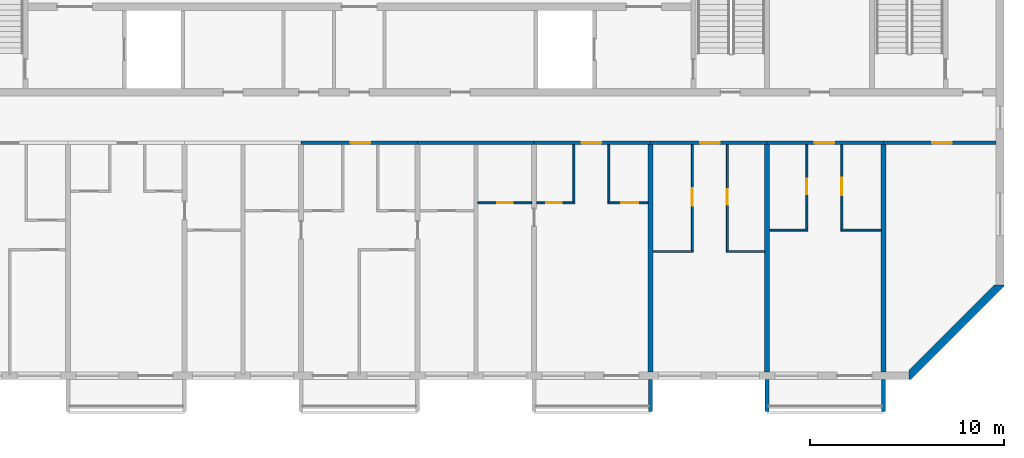
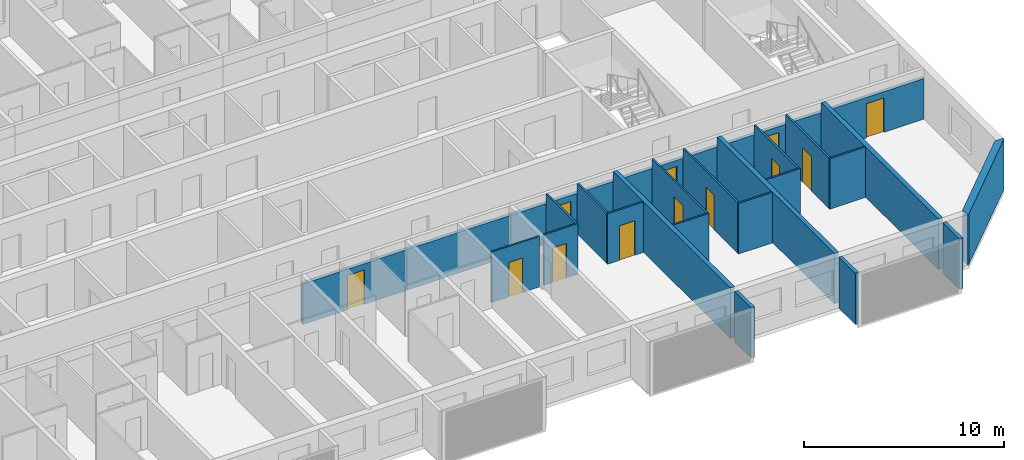
# One storey, part 5 of 26: 26 walls, 12 doors, 12 openings.
"""IFC4 building model written with IfcOpenShell, lengths in metres."""

from ifc_helpers import new_model, si_unit, direction, frame, frame_2d, origin, place, context, subcontext, project, spatial, polyline, rectangle, outline, extrude, source, transform, mapped, material, layer, layer_set, type_object, element, fill, save


model = new_model("IFC4")

# Units and contexts
model_context = context("Model", 3, precision=1e-05, world=origin(), true_north=direction((0.0, 1.0)))
body_context = subcontext(model_context, "Body", "Model", "MODEL_VIEW")
ifc_project = project(units=[si_unit("LENGTHUNIT", "METRE"), si_unit("AREAUNIT", "SQUARE_METRE"), si_unit("VOLUMEUNIT", "CUBIC_METRE"), si_unit("PLANEANGLEUNIT", "RADIAN"), si_unit("MASSUNIT", "GRAM", prefix="KILO")], contexts=[model_context])

# Site, building, storey
site_placement = place(None, origin())
site = spatial("IfcSite", under=ifc_project, at=site_placement, CompositionType="ELEMENT")
building_placement = place(site_placement, origin())
building = spatial("IfcBuilding", under=site, at=building_placement, Name="Poui Terraces", CompositionType="ELEMENT")
storey_placement = place(building_placement, frame((0.0, 0.0, 171.89990234375)))
storey = spatial("IfcBuildingStorey", under=building, at=storey_placement, Name="L47", CompositionType="ELEMENT", Elevation=171.89990234375)

# Wall, opening, door
ifc_material_1 = material(Name="Concrete 50 MPa", Category="concrete")
ifc_layer_1 = layer(ifc_material_1, 0.199951171875)
ifc_layer_set_1 = layer_set([ifc_layer_1], Name="Concrete 50 MPa")
wall_type_1 = type_object("IfcWallType", Name="CORRIDOR WALL 200 50MPa", PredefinedType="SHEAR", material=ifc_layer_set_1)
wall_1_placement = place(storey_placement, frame((48.0, 12.0, 0.0), z_axis=(0.0, 0.0, 1.0), x_axis=(1.0, 0.0, 0.0)))
wall_1 = element("IfcWall", 1, at=wall_1_placement, inside=storey, type_object=wall_type_1, Name="CORRIDOR WALL LINE B BAY 6", PredefinedType="SHEAR", context=body_context, shape_type="SweptSolid", body=[
    extrude(rectangle(XDim=6.0, YDim=0.199951171875, at=frame_2d((3.0, 0.0))), origin(), (0.0, 0.0, 1.0), 2.47998046875),
])
opening_1_placement = place(wall_1_placement, frame((2.550048828125, 0.0, 0.0)))
opening_1 = element("IfcOpeningElement", 2, at=opening_1_placement, cuts=wall_1, Name="Opening FD30S", PredefinedType="OPENING", context=body_context, shape_type="SweptSolid", body=[
    extrude(rectangle(XDim=1.0, YDim=2.10009765625, at=frame_2d((0.5, 1.050048828125))), frame((0.0, 0.10986328125, 0.0), z_axis=(0.0, -1.0, 0.0), x_axis=(1.0, 0.0, 0.0)), (0.0, 0.0, 1.0), 0.219970703125),
])
ifc_material_2 = material(Name="Steel fire door", Category="steel")
door_type_1 = type_object("IfcDoorType", Name="FLAT ENTRANCE DOOR 1000 X 2100", OperationType="NOTDEFINED", PredefinedType="DOOR", material=ifc_material_2)
door_1_placement = place(opening_1_placement, frame((1.0, 0.0, 0.0), z_axis=(0.0, 0.0, 1.0), x_axis=(-1.0, 0.0, 0.0)))
door_1 = element("IfcDoor", 3, at=door_1_placement, inside=storey, type_object=door_type_1, Name="FLAT ENTRANCE DOOR 079", OperationType="SINGLE_SWING_LEFT", OverallHeight=2.10009765625, OverallWidth=1.0, PredefinedType="DOOR", context=body_context, shape_type="SweptSolid", body=[
    extrude(rectangle(XDim=1.0, YDim=2.10009765625, at=frame_2d((0.5, 1.050048828125))), frame((0.0, 0.02490234375, 0.0), z_axis=(0.0, -1.0, 0.0), x_axis=(1.0, 0.0, 0.0)), (0.0, 0.0, 1.0), 0.050048828125),
])
fill(opening_1, door_1)

# Wall
wall_2_placement = place(storey_placement, frame((54.0, 12.0, 0.0), z_axis=(0.0, 0.0, 1.0), x_axis=(1.0, 0.0, 0.0)))
element("IfcWall", 4, at=wall_2_placement, inside=storey, type_object=wall_type_1, Name="CORRIDOR WALL LINE B BAY 7", PredefinedType="SHEAR", context=body_context, shape_type="SweptSolid", body=[
    extrude(rectangle(XDim=6.0, YDim=0.199951171875, at=frame_2d((3.0, 0.0))), origin(), (0.0, 0.0, 1.0), 2.47998046875),
])

# Wall, opening, door
wall_3_placement = place(storey_placement, frame((60.0, 12.0, 0.0), z_axis=(0.0, 0.0, 1.0), x_axis=(1.0, 0.0, 0.0)))
wall_3 = element("IfcWall", 5, at=wall_3_placement, inside=storey, type_object=wall_type_1, Name="CORRIDOR WALL LINE B BAY 8", PredefinedType="SHEAR", context=body_context, shape_type="SweptSolid", body=[
    extrude(rectangle(XDim=6.0, YDim=0.199951171875, at=frame_2d((3.0, 0.0))), origin(), (0.0, 0.0, 1.0), 2.47998046875),
])
opening_2_placement = place(wall_3_placement, frame((2.449951171875, 0.0, 0.0)))
opening_2 = element("IfcOpeningElement", 6, at=opening_2_placement, cuts=wall_3, Name="Opening FD30S", PredefinedType="OPENING", context=body_context, shape_type="SweptSolid", body=[
    extrude(rectangle(XDim=1.0, YDim=2.10009765625, at=frame_2d((0.5, 1.050048828125))), frame((0.0, 0.10986328125, 0.0), z_axis=(0.0, -1.0, 0.0), x_axis=(1.0, 0.0, 0.0)), (0.0, 0.0, 1.0), 0.219970703125),
])
door_2_placement = place(opening_2_placement, frame((1.0, 0.0, 0.0), z_axis=(0.0, 0.0, 1.0), x_axis=(-1.0, 0.0, 0.0)))
door_2 = element("IfcDoor", 7, at=door_2_placement, inside=storey, type_object=door_type_1, Name="FLAT ENTRANCE DOOR 086", OperationType="SINGLE_SWING_RIGHT", OverallHeight=2.10009765625, OverallWidth=1.0, PredefinedType="DOOR", context=body_context, shape_type="SweptSolid", body=[
    extrude(rectangle(XDim=1.0, YDim=2.10009765625, at=frame_2d((0.5, 1.050048828125))), frame((0.0, 0.02490234375, 0.0), z_axis=(0.0, -1.0, 0.0), x_axis=(1.0, 0.0, 0.0)), (0.0, 0.0, 1.0), 0.050048828125),
])
fill(opening_2, door_2)

wall_4_placement = place(storey_placement, frame((66.0, 12.0, 0.0), z_axis=(0.0, 0.0, 1.0), x_axis=(1.0, 0.0, 0.0)))
wall_4 = element("IfcWall", 8, at=wall_4_placement, inside=storey, type_object=wall_type_1, Name="CORRIDOR WALL LINE B BAY 9", PredefinedType="SHEAR", context=body_context, shape_type="SweptSolid", body=[
    extrude(rectangle(XDim=6.0, YDim=0.199951171875, at=frame_2d((3.0, 0.0))), origin(), (0.0, 0.0, 1.0), 2.47998046875),
])
opening_3_placement = place(wall_4_placement, frame((2.550048828125, 0.0, 0.0)))
opening_3 = element("IfcOpeningElement", 9, at=opening_3_placement, cuts=wall_4, Name="Opening FD30S", PredefinedType="OPENING", context=body_context, shape_type="SweptSolid", body=[
    extrude(rectangle(XDim=1.0, YDim=2.10009765625, at=frame_2d((0.5, 1.050048828125))), frame((0.0, 0.10986328125, 0.0), z_axis=(0.0, -1.0, 0.0), x_axis=(1.0, 0.0, 0.0)), (0.0, 0.0, 1.0), 0.219970703125),
])
door_3_placement = place(opening_3_placement, frame((1.0, 0.0, 0.0), z_axis=(0.0, 0.0, 1.0), x_axis=(-1.0, 0.0, 0.0)))
door_3 = element("IfcDoor", 10, at=door_3_placement, inside=storey, type_object=door_type_1, Name="FLAT ENTRANCE DOOR 089", OperationType="SINGLE_SWING_LEFT", OverallHeight=2.10009765625, OverallWidth=1.0, PredefinedType="DOOR", context=body_context, shape_type="SweptSolid", body=[
    extrude(rectangle(XDim=1.0, YDim=2.10009765625, at=frame_2d((0.5, 1.050048828125))), frame((0.0, 0.02490234375, 0.0), z_axis=(0.0, -1.0, 0.0), x_axis=(1.0, 0.0, 0.0)), (0.0, 0.0, 1.0), 0.050048828125),
])
fill(opening_3, door_3)

wall_5_placement = place(storey_placement, frame((72.0, 12.0, 0.0), z_axis=(0.0, 0.0, 1.0), x_axis=(1.0, 0.0, 0.0)))
wall_5 = element("IfcWall", 11, at=wall_5_placement, inside=storey, type_object=wall_type_1, Name="CORRIDOR WALL LINE B BAY 10", PredefinedType="SHEAR", context=body_context, shape_type="SweptSolid", body=[
    extrude(rectangle(XDim=6.0, YDim=0.199951171875, at=frame_2d((3.0, 0.0))), origin(), (0.0, 0.0, 1.0), 2.47998046875),
])
opening_4_placement = place(wall_5_placement, frame((2.449951171875, 0.0, 0.0)))
opening_4 = element("IfcOpeningElement", 12, at=opening_4_placement, cuts=wall_5, Name="Opening FD30S", PredefinedType="OPENING", context=body_context, shape_type="SweptSolid", body=[
    extrude(rectangle(XDim=1.0, YDim=2.10009765625, at=frame_2d((0.5, 1.050048828125))), frame((0.0, 0.10986328125, 0.0), z_axis=(0.0, -1.0, 0.0), x_axis=(1.0, 0.0, 0.0)), (0.0, 0.0, 1.0), 0.219970703125),
])
door_4_placement = place(opening_4_placement, frame((1.0, 0.0, 0.0), z_axis=(0.0, 0.0, 1.0), x_axis=(-1.0, 0.0, 0.0)))
door_4 = element("IfcDoor", 13, at=door_4_placement, inside=storey, type_object=door_type_1, Name="FLAT ENTRANCE DOOR 092", OperationType="SINGLE_SWING_RIGHT", OverallHeight=2.10009765625, OverallWidth=1.0, PredefinedType="DOOR", context=body_context, shape_type="SweptSolid", body=[
    extrude(rectangle(XDim=1.0, YDim=2.10009765625, at=frame_2d((0.5, 1.050048828125))), frame((0.0, 0.02490234375, 0.0), z_axis=(0.0, -1.0, 0.0), x_axis=(1.0, 0.0, 0.0)), (0.0, 0.0, 1.0), 0.050048828125),
])
fill(opening_4, door_4)

wall_6_placement = place(storey_placement, frame((78.0, 12.0, 0.0), z_axis=(0.0, 0.0, 1.0), x_axis=(1.0, 0.0, 0.0)))
wall_6 = element("IfcWall", 14, at=wall_6_placement, inside=storey, type_object=wall_type_1, Name="CORRIDOR WALL LINE B BAY 11", PredefinedType="SHEAR", context=body_context, shape_type="SweptSolid", body=[
    extrude(rectangle(XDim=5.800048828125, YDim=0.199951171875, at=frame_2d((2.89990234375, 0.0))), origin(), (0.0, 0.0, 1.0), 2.47998046875),
])
opening_5_placement = place(wall_6_placement, frame((2.5, 0.0, 0.0)))
opening_5 = element("IfcOpeningElement", 15, at=opening_5_placement, cuts=wall_6, Name="Opening D100", PredefinedType="OPENING", context=body_context, shape_type="SweptSolid", body=[
    extrude(rectangle(XDim=1.0, YDim=2.10009765625, at=frame_2d((0.5, 1.050048828125))), frame((0.0, 0.10986328125, 0.0), z_axis=(0.0, -1.0, 0.0), x_axis=(1.0, 0.0, 0.0)), (0.0, 0.0, 1.0), 0.219970703125),
])
ifc_material_3 = material(Name="Solid core timber door", Category="wood")
door_type_2 = type_object("IfcDoorType", Name="ACCESSIBLE INTERNAL DOOR 1000 X 2100", OperationType="NOTDEFINED", PredefinedType="DOOR", material=ifc_material_3)
door_5_placement = place(opening_5_placement, frame((1.0, 0.0, 0.0), z_axis=(0.0, 0.0, 1.0), x_axis=(-1.0, 0.0, 0.0)))
door_5 = element("IfcDoor", 16, at=door_5_placement, inside=storey, type_object=door_type_2, Name="ACCESSIBLE INTERNAL DOOR 094", OperationType="SINGLE_SWING_RIGHT", OverallHeight=2.10009765625, OverallWidth=1.0, PredefinedType="DOOR", context=body_context, shape_type="SweptSolid", body=[
    extrude(rectangle(XDim=1.0, YDim=2.10009765625, at=frame_2d((0.5, 1.050048828125))), frame((0.0, 0.02490234375, 0.0), z_axis=(0.0, -1.0, 0.0), x_axis=(1.0, 0.0, 0.0)), (0.0, 0.0, 1.0), 0.050048828125),
])
fill(opening_5, door_5)

# Walls
ifc_layer_2 = layer(ifc_material_1, 0.25)
ifc_layer_set_2 = layer_set([ifc_layer_2], Name="Concrete 50 MPa")
wall_type_2 = type_object("IfcWallType", Name="CROSS WALL 250 50MPa", PredefinedType="SHEAR", material=ifc_layer_set_2)
for number, where, z_axis, x_axis, name in (
    (17, (66.0, 0.199951171875, 0.0), (0.0, 0.0, 1.0), (0.0, 1.0, 0.0), "CROSS WALL LINE 12 SOUTH"),
    (18, (72.0, 0.199951171875, 0.0), (0.0, 0.0, 1.0), (0.0, 1.0, 0.0), "CROSS WALL LINE 13 SOUTH"),
    (19, (78.0, 0.199951171875, 0.0), (0.0, 0.0, 1.0), (0.0, 1.0, 0.0), "CROSS WALL LINE 14 SOUTH"),
):
    element("IfcWall", number, at=place(storey_placement, frame(where, z_axis=z_axis, x_axis=x_axis)), inside=storey, type_object=wall_type_2, Name=name, PredefinedType="SHEAR", context=body_context, shape_type="SweptSolid", body=[
        extrude(rectangle(XDim=11.699951171875, YDim=0.25, at=frame_2d((5.85009765625, 0.0))), origin(), (0.0, 0.0, 1.0), 3.080078125),
    ])
ifc_material_4 = material(Name="Plasterboard partition")
ifc_layer_3 = layer(ifc_material_4, 0.10009765625)
ifc_layer_set_3 = layer_set([ifc_layer_3], Name="Plasterboard partition")
wall_type_3 = type_object("IfcWallType", Name="FLAT PARTITION 100", PredefinedType="PARTITIONING", material=ifc_layer_set_3)
wall_7_placement = place(storey_placement, frame((66.135009765625, 6.39990234375, 0.0), z_axis=(0.0, 0.0, 1.0), x_axis=(1.0, 0.0, 0.0)))
element("IfcWall", 20, at=wall_7_placement, inside=storey, type_object=wall_type_3, Name="FLAT PARTITION 100", PredefinedType="PARTITIONING", context=body_context, shape_type="SweptSolid", body=[
    extrude(rectangle(XDim=2.06494140625, YDim=0.10009765625, at=frame_2d((1.032470703125, 0.0))), origin(), (0.0, 0.0, 1.0), 3.080078125),
])
for number, where, z_axis, x_axis, name in (
    (21, (69.89990234375, 6.39990234375, 0.0), (0.0, 0.0, 1.0), (1.0, 0.0, 0.0), "FLAT PARTITION 100"),
    (22, (72.135009765625, 7.5, 0.0), (0.0, 0.0, 1.0), (1.0, 0.0, 0.0), "FLAT PARTITION 100"),
):
    element("IfcWall", number, at=place(storey_placement, frame(where, z_axis=z_axis, x_axis=x_axis)), inside=storey, type_object=wall_type_3, Name=name, PredefinedType="PARTITIONING", context=body_context, shape_type="SweptSolid", body=[
        extrude(rectangle(XDim=1.965087890625, YDim=0.10009765625, at=frame_2d((0.982421875, 0.0))), origin(), (0.0, 0.0, 1.0), 3.080078125),
    ])
wall_8_placement = place(storey_placement, frame((75.800048828125, 7.5, 0.0), z_axis=(0.0, 0.0, 1.0), x_axis=(1.0, 0.0, 0.0)))
element("IfcWall", 23, at=wall_8_placement, inside=storey, type_object=wall_type_3, Name="FLAT PARTITION 100", PredefinedType="PARTITIONING", context=body_context, shape_type="SweptSolid", body=[
    extrude(rectangle(XDim=2.06494140625, YDim=0.10009765625, at=frame_2d((1.032470703125, 0.0))), origin(), (0.0, 0.0, 1.0), 3.080078125),
])

# Wall, opening, door
wall_9_placement = place(storey_placement, frame((57.10009765625, 8.89990234375, 0.0), z_axis=(0.0, 0.0, 1.0), x_axis=(1.0, 0.0, 0.0)))
wall_9 = element("IfcWall", 24, at=wall_9_placement, inside=storey, type_object=wall_type_3, Name="FLAT PARTITION 100", PredefinedType="PARTITIONING", context=body_context, shape_type="SweptSolid", body=[
    extrude(rectangle(XDim=2.764892578125, YDim=0.10009765625, at=frame_2d((1.38232421875, 0.0))), origin(), (0.0, 0.0, 1.0), 3.080078125),
])
opening_6_placement = place(wall_9_placement, frame((1.0, 0.0, 0.0)))
opening_6 = element("IfcOpeningElement", 25, at=opening_6_placement, cuts=wall_9, Name="Opening D80", PredefinedType="OPENING", context=body_context, shape_type="SweptSolid", body=[
    extrude(rectangle(XDim=0.800048828125, YDim=2.10009765625, at=frame_2d((0.39990234375, 1.050048828125))), frame((0.0, 0.06005859375, 0.0), z_axis=(0.0, -1.0, 0.0), x_axis=(1.0, 0.0, 0.0)), (0.0, 0.0, 1.0), 0.1201171875),
])
door_type_3 = type_object("IfcDoorType", Name="BATHROOM, LAUNDRY AND STORE DOOR 800 X 2100", OperationType="NOTDEFINED", PredefinedType="DOOR", material=ifc_material_3)
door_6_placement = place(opening_6_placement, origin())
door_6 = element("IfcDoor", 26, at=door_6_placement, inside=storey, type_object=door_type_3, Name="BATHROOM, LAUNDRY AND STORE DOOR 083", OperationType="SINGLE_SWING_RIGHT", OverallHeight=2.10009765625, OverallWidth=0.800048828125, PredefinedType="DOOR", context=body_context, shape_type="SweptSolid", body=[
    extrude(rectangle(XDim=0.800048828125, YDim=2.10009765625, at=frame_2d((0.39990234375, 1.050048828125))), frame((0.0, 0.02490234375, 0.0), z_axis=(0.0, -1.0, 0.0), x_axis=(1.0, 0.0, 0.0)), (0.0, 0.0, 1.0), 0.050048828125),
])
fill(opening_6, door_6)

wall_10_placement = place(storey_placement, frame((60.135009765625, 8.89990234375, 0.0), z_axis=(0.0, 0.0, 1.0), x_axis=(1.0, 0.0, 0.0)))
wall_10 = element("IfcWall", 27, at=wall_10_placement, inside=storey, type_object=wall_type_3, Name="FLAT PARTITION 100", PredefinedType="PARTITIONING", context=body_context, shape_type="SweptSolid", body=[
    extrude(rectangle(XDim=1.965087890625, YDim=0.10009765625, at=frame_2d((0.982421875, 0.0))), origin(), (0.0, 0.0, 1.0), 3.080078125),
])
opening_7_placement = place(wall_10_placement, frame((0.489990234375, 0.0, 0.0)))
opening_7 = element("IfcOpeningElement", 28, at=opening_7_placement, cuts=wall_10, Name="Opening D80", PredefinedType="OPENING", context=body_context, shape_type="SweptSolid", body=[
    extrude(rectangle(XDim=0.800048828125, YDim=2.10009765625, at=frame_2d((0.39990234375, 1.050048828125))), frame((0.0, 0.06005859375, 0.0), z_axis=(0.0, -1.0, 0.0), x_axis=(1.0, 0.0, 0.0)), (0.0, 0.0, 1.0), 0.1201171875),
])
door_7_placement = place(opening_7_placement, origin())
door_7 = element("IfcDoor", 29, at=door_7_placement, inside=storey, type_object=door_type_3, Name="BATHROOM, LAUNDRY AND STORE DOOR 085", OperationType="SINGLE_SWING_LEFT", OverallHeight=2.10009765625, OverallWidth=0.800048828125, PredefinedType="DOOR", context=body_context, shape_type="SweptSolid", body=[
    extrude(rectangle(XDim=0.800048828125, YDim=2.10009765625, at=frame_2d((0.39990234375, 1.050048828125))), frame((0.0, 0.02490234375, 0.0), z_axis=(0.0, -1.0, 0.0), x_axis=(1.0, 0.0, 0.0)), (0.0, 0.0, 1.0), 0.050048828125),
])
fill(opening_7, door_7)

wall_11_placement = place(storey_placement, frame((63.800048828125, 8.89990234375, 0.0), z_axis=(0.0, 0.0, 1.0), x_axis=(1.0, 0.0, 0.0)))
wall_11 = element("IfcWall", 30, at=wall_11_placement, inside=storey, type_object=wall_type_3, Name="FLAT PARTITION 100", PredefinedType="PARTITIONING", context=body_context, shape_type="SweptSolid", body=[
    extrude(rectangle(XDim=2.06494140625, YDim=0.10009765625, at=frame_2d((1.032470703125, 0.0))), origin(), (0.0, 0.0, 1.0), 3.080078125),
])
opening_8_placement = place(wall_11_placement, frame((0.675048828125, 0.0, 0.0)))
opening_8 = element("IfcOpeningElement", 31, at=opening_8_placement, cuts=wall_11, Name="Opening D90", PredefinedType="OPENING", context=body_context, shape_type="SweptSolid", body=[
    extrude(rectangle(XDim=0.89990234375, YDim=2.10009765625, at=frame_2d((0.449951171875, 1.050048828125))), frame((0.0, 0.06005859375, 0.0), z_axis=(0.0, -1.0, 0.0), x_axis=(1.0, 0.0, 0.0)), (0.0, 0.0, 1.0), 0.1201171875),
])
door_type_4 = type_object("IfcDoorType", Name="INTERNAL DOOR 900 X 2100", OperationType="NOTDEFINED", PredefinedType="DOOR", material=ifc_material_3)
door_8_placement = place(opening_8_placement, origin())
door_8 = element("IfcDoor", 32, at=door_8_placement, inside=storey, type_object=door_type_4, Name="INTERNAL DOOR 087", OperationType="SINGLE_SWING_RIGHT", OverallHeight=2.10009765625, OverallWidth=0.89990234375, PredefinedType="DOOR", context=body_context, shape_type="SweptSolid", body=[
    extrude(rectangle(XDim=0.89990234375, YDim=2.10009765625, at=frame_2d((0.449951171875, 1.050048828125))), frame((0.0, 0.02490234375, 0.0), z_axis=(0.0, -1.0, 0.0), x_axis=(1.0, 0.0, 0.0)), (0.0, 0.0, 1.0), 0.050048828125),
])
fill(opening_8, door_8)

# Walls
for number, where, z_axis, x_axis, name in (
    (33, (62.050048828125, 8.949951171875, 0.0), (0.0, 0.0, 1.0), (0.0, 1.0, 0.0), "FLAT PARTITION 100"),
    (34, (63.85009765625, 8.949951171875, 0.0), (0.0, 0.0, 1.0), (0.0, 1.0, 0.0), "FLAT PARTITION 100"),
):
    element("IfcWall", number, at=place(storey_placement, frame(where, z_axis=z_axis, x_axis=x_axis)), inside=storey, type_object=wall_type_3, Name=name, PredefinedType="PARTITIONING", context=body_context, shape_type="SweptSolid", body=[
        extrude(rectangle(XDim=2.93994140625, YDim=0.10009765625, at=frame_2d((1.469970703125, 0.0))), origin(), (0.0, 0.0, 1.0), 3.080078125),
    ])

# Wall, opening, door
wall_12_placement = place(storey_placement, frame((68.14990234375, 6.449951171875, 0.0), z_axis=(0.0, 0.0, 1.0), x_axis=(0.0, 1.0, 0.0)))
wall_12 = element("IfcWall", 35, at=wall_12_placement, inside=storey, type_object=wall_type_3, Name="FLAT PARTITION 100", PredefinedType="PARTITIONING", context=body_context, shape_type="SweptSolid", body=[
    extrude(rectangle(XDim=5.43994140625, YDim=0.10009765625, at=frame_2d((2.719970703125, 0.0))), origin(), (0.0, 0.0, 1.0), 3.080078125),
])
opening_9_placement = place(wall_12_placement, frame((2.300048828125, 0.0, 0.0)))
opening_9 = element("IfcOpeningElement", 36, at=opening_9_placement, cuts=wall_12, Name="Opening D90", PredefinedType="OPENING", context=body_context, shape_type="SweptSolid", body=[
    extrude(rectangle(XDim=0.89990234375, YDim=2.10009765625, at=frame_2d((0.449951171875, 1.050048828125))), frame((0.0, 0.06005859375, 0.0), z_axis=(0.0, -1.0, 0.0), x_axis=(1.0, 0.0, 0.0)), (0.0, 0.0, 1.0), 0.1201171875),
])
door_9_placement = place(opening_9_placement, origin())
door_9 = element("IfcDoor", 37, at=door_9_placement, inside=storey, type_object=door_type_4, Name="INTERNAL DOOR 088", OperationType="SINGLE_SWING_RIGHT", OverallHeight=2.10009765625, OverallWidth=0.89990234375, PredefinedType="DOOR", context=body_context, shape_type="SweptSolid", body=[
    extrude(rectangle(XDim=0.89990234375, YDim=2.10009765625, at=frame_2d((0.449951171875, 1.050048828125))), frame((0.0, 0.02490234375, 0.0), z_axis=(0.0, -1.0, 0.0), x_axis=(1.0, 0.0, 0.0)), (0.0, 0.0, 1.0), 0.050048828125),
])
fill(opening_9, door_9)

wall_13_placement = place(storey_placement, frame((69.949951171875, 6.449951171875, 0.0), z_axis=(0.0, 0.0, 1.0), x_axis=(0.0, 1.0, 0.0)))
wall_13 = element("IfcWall", 38, at=wall_13_placement, inside=storey, type_object=wall_type_3, Name="FLAT PARTITION 100", PredefinedType="PARTITIONING", context=body_context, shape_type="SweptSolid", body=[
    extrude(rectangle(XDim=5.43994140625, YDim=0.10009765625, at=frame_2d((2.719970703125, 0.0))), origin(), (0.0, 0.0, 1.0), 3.080078125),
])
opening_10_placement = place(wall_13_placement, frame((2.35009765625, 0.0, 0.0)))
opening_10 = element("IfcOpeningElement", 39, at=opening_10_placement, cuts=wall_13, Name="Opening D80", PredefinedType="OPENING", context=body_context, shape_type="SweptSolid", body=[
    extrude(rectangle(XDim=0.800048828125, YDim=2.10009765625, at=frame_2d((0.39990234375, 1.050048828125))), frame((0.0, 0.06005859375, 0.0), z_axis=(0.0, -1.0, 0.0), x_axis=(1.0, 0.0, 0.0)), (0.0, 0.0, 1.0), 0.1201171875),
])
door_10_placement = place(opening_10_placement, frame((0.800048828125, 0.0, 0.0), z_axis=(0.0, 0.0, 1.0), x_axis=(-1.0, 0.0, 0.0)))
door_10 = element("IfcDoor", 40, at=door_10_placement, inside=storey, type_object=door_type_3, Name="BATHROOM, LAUNDRY AND STORE DOOR 090", OperationType="SINGLE_SWING_RIGHT", OverallHeight=2.10009765625, OverallWidth=0.800048828125, PredefinedType="DOOR", context=body_context, shape_type="SweptSolid", body=[
    extrude(rectangle(XDim=0.800048828125, YDim=2.10009765625, at=frame_2d((0.39990234375, 1.050048828125))), frame((0.0, 0.02490234375, 0.0), z_axis=(0.0, -1.0, 0.0), x_axis=(1.0, 0.0, 0.0)), (0.0, 0.0, 1.0), 0.050048828125),
])
fill(opening_10, door_10)

wall_14_placement = place(storey_placement, frame((74.050048828125, 7.550048828125, 0.0), z_axis=(0.0, 0.0, 1.0), x_axis=(0.0, 1.0, 0.0)))
wall_14 = element("IfcWall", 41, at=wall_14_placement, inside=storey, type_object=wall_type_3, Name="FLAT PARTITION 100", PredefinedType="PARTITIONING", context=body_context, shape_type="SweptSolid", body=[
    extrude(rectangle(XDim=4.33984375, YDim=0.10009765625, at=frame_2d((2.169921875, 0.0))), origin(), (0.0, 0.0, 1.0), 3.080078125),
])
opening_11_placement = place(wall_14_placement, frame((1.800048828125, 0.0, 0.0)))
opening_11 = element("IfcOpeningElement", 42, at=opening_11_placement, cuts=wall_14, Name="Opening D80", PredefinedType="OPENING", context=body_context, shape_type="SweptSolid", body=[
    extrude(rectangle(XDim=0.800048828125, YDim=2.10009765625, at=frame_2d((0.39990234375, 1.050048828125))), frame((0.0, 0.06005859375, 0.0), z_axis=(0.0, -1.0, 0.0), x_axis=(1.0, 0.0, 0.0)), (0.0, 0.0, 1.0), 0.1201171875),
])
door_11_placement = place(opening_11_placement, origin())
door_11 = element("IfcDoor", 43, at=door_11_placement, inside=storey, type_object=door_type_3, Name="BATHROOM, LAUNDRY AND STORE DOOR 091", OperationType="SINGLE_SWING_LEFT", OverallHeight=2.10009765625, OverallWidth=0.800048828125, PredefinedType="DOOR", context=body_context, shape_type="SweptSolid", body=[
    extrude(rectangle(XDim=0.800048828125, YDim=2.10009765625, at=frame_2d((0.39990234375, 1.050048828125))), frame((0.0, 0.02490234375, 0.0), z_axis=(0.0, -1.0, 0.0), x_axis=(1.0, 0.0, 0.0)), (0.0, 0.0, 1.0), 0.050048828125),
])
fill(opening_11, door_11)

wall_15_placement = place(storey_placement, frame((75.85009765625, 7.550048828125, 0.0), z_axis=(0.0, 0.0, 1.0), x_axis=(0.0, 1.0, 0.0)))
wall_15 = element("IfcWall", 44, at=wall_15_placement, inside=storey, type_object=wall_type_3, Name="FLAT PARTITION 100", PredefinedType="PARTITIONING", context=body_context, shape_type="SweptSolid", body=[
    extrude(rectangle(XDim=4.33984375, YDim=0.10009765625, at=frame_2d((2.169921875, 0.0))), origin(), (0.0, 0.0, 1.0), 3.080078125),
])
opening_12_placement = place(wall_15_placement, frame((1.75, 0.0, 0.0)))
opening_12 = element("IfcOpeningElement", 45, at=opening_12_placement, cuts=wall_15, Name="Opening D90", PredefinedType="OPENING", context=body_context, shape_type="SweptSolid", body=[
    extrude(rectangle(XDim=0.89990234375, YDim=2.10009765625, at=frame_2d((0.449951171875, 1.050048828125))), frame((0.0, 0.06005859375, 0.0), z_axis=(0.0, -1.0, 0.0), x_axis=(1.0, 0.0, 0.0)), (0.0, 0.0, 1.0), 0.1201171875),
])
door_12_placement = place(opening_12_placement, frame((0.89990234375, 0.0, 0.0), z_axis=(0.0, 0.0, 1.0), x_axis=(-1.0, 0.0, 0.0)))
door_12 = element("IfcDoor", 46, at=door_12_placement, inside=storey, type_object=door_type_4, Name="INTERNAL DOOR 093", OperationType="SINGLE_SWING_LEFT", OverallHeight=2.10009765625, OverallWidth=0.89990234375, PredefinedType="DOOR", context=body_context, shape_type="SweptSolid", body=[
    extrude(rectangle(XDim=0.89990234375, YDim=2.10009765625, at=frame_2d((0.449951171875, 1.050048828125))), frame((0.0, 0.02490234375, 0.0), z_axis=(0.0, -1.0, 0.0), x_axis=(1.0, 0.0, 0.0)), (0.0, 0.0, 1.0), 0.050048828125),
])
fill(opening_12, door_12)

# Walls
ifc_material_5 = material(Name="Precast concrete 40 MPa", Category="concrete")
ifc_layer_4 = layer(ifc_material_5, 0.39990234375)
ifc_layer_set_4 = layer_set([ifc_layer_4], Name="Precast concrete 40 MPa")
wall_type_4 = type_object("IfcWallType", Name="TERRACOTTA CLAD CHAMFER WALL 400", PredefinedType="STANDARD", material=ifc_layer_set_4)
wall_16_placement = place(storey_placement, origin())
element("IfcWall", 47, at=wall_16_placement, inside=storey, type_object=wall_type_4, Name="CHAMFER WALL CH01", PredefinedType="STANDARD", context=body_context, shape_type="SweptSolid", body=[
    extrude(outline(polyline([(79.317138671875, -0.199951171875), (79.39990234375, -0.199951171875), (84.199951171875, 4.60009765625), (84.199951171875, 4.682861328125), (83.71728515625, 4.682861328125), (79.317138671875, 0.28271484375), (79.317138671875, -0.199951171875)])), origin(), (0.0, 0.0, 1.0), 3.080078125),
])
ifc_layer_5 = layer(ifc_material_5, 0.199951171875)
ifc_layer_set_5 = layer_set([ifc_layer_5], Name="Precast concrete 40 MPa")
wall_type_5 = type_object("IfcWallType", Name="REAR FIN 200", PredefinedType="STANDARD", material=ifc_layer_set_5)
shared_shape = source(origin(), body_context, "Body", "SweptSolid", [
    extrude(outline(polyline([(0.0, 0.0), (0.2001953125, 0.0), (0.2001953125, 1.650146484375), (0.0, 1.650146484375), (0.0, 0.0)])), origin(), (0.0, 0.0, 1.0), 3.10009765625),
])
for number, where, name in (
    (48, (65.89990234375, -1.85009765625, 0.0), "REAR FIN"),
    (49, (71.89990234375, -1.85009765625, 0.0), "REAR FIN"),
    (50, (77.89990234375, -1.85009765625, 0.0), "REAR FIN"),
):
    element("IfcWall", number, at=place(storey_placement, frame(where)), inside=storey, type_object=wall_type_5, Name=name, PredefinedType="STANDARD", context=body_context, shape_type="MappedRepresentation", body=[
        mapped(shared_shape, transform((0.0, 0.0, 0.0))),
    ])

save(model, "model.ifc")
